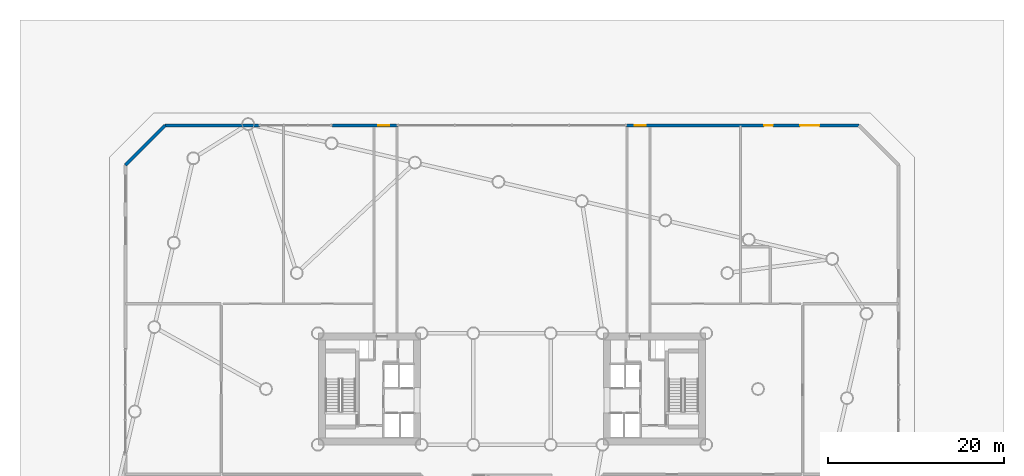
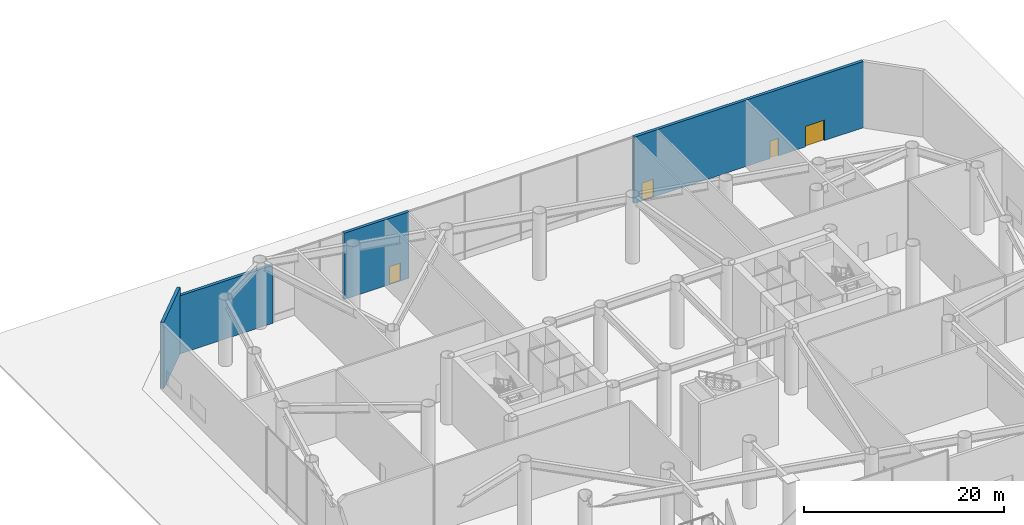
# One storey, part 24 of 28: 4 doors, 4 walls, 4 openings.
"""IFC4 building model written with IfcOpenShell, lengths in metres."""

from ifc_helpers import new_model, si_unit, direction, frame, frame_2d, origin, place, context, subcontext, project, spatial, rectangle, extrude, material, layer, layer_set, type_object, element, fill, save


model = new_model("IFC4")

# Units and contexts
model_context = context("Model", 3, precision=1e-05, world=origin(), true_north=direction((0.0, 1.0)))
body_context = subcontext(model_context, "Body", "Model", "MODEL_VIEW")
ifc_project = project(units=[si_unit("LENGTHUNIT", "METRE"), si_unit("AREAUNIT", "SQUARE_METRE"), si_unit("VOLUMEUNIT", "CUBIC_METRE"), si_unit("PLANEANGLEUNIT", "RADIAN"), si_unit("MASSUNIT", "GRAM", prefix="KILO")], contexts=[model_context])

# Site, building, storey
site_placement = place(None, origin())
site = spatial("IfcSite", under=ifc_project, at=site_placement, CompositionType="ELEMENT")
building_placement = place(site_placement, origin())
building = spatial("IfcBuilding", under=site, at=building_placement, Name="Tavrogorsk Clinical Tower", CompositionType="ELEMENT")
storey_placement = place(building_placement, origin())
storey = spatial("IfcBuildingStorey", under=building, at=storey_placement, Name="L00", CompositionType="ELEMENT", Elevation=0.0)

# Wall, openings, doors
ifc_material_1 = material(Name="Precast concrete B45 with limestone cladding", Category="masonry")
ifc_layer = layer(ifc_material_1, 0.340087890625)
ifc_layer_set = layer_set([ifc_layer], Name="Precast concrete B45 with limestone cladding")
wall_type = type_object("IfcWallType", Name="PrecastLimestoneWall_340", PredefinedType="STANDARD", material=ifc_layer_set)
wall_1_placement = place(storey_placement, frame((39.5, 30.0, 0.0), z_axis=(0.0, 0.0, 1.0), x_axis=(-1.0, 0.0, 0.0)))
wall_1 = element("IfcWall", 1, at=wall_1_placement, inside=storey, type_object=wall_type, Name="L00 Limestone Lobby Wall 5-1", PredefinedType="STANDARD", context=body_context, shape_type="SweptSolid", body=[
    extrude(rectangle(XDim=26.5, YDim=0.340087890625, at=frame_2d((13.25, 0.0))), origin(), (0.0, 0.0, 1.0), 8.10009765625),
])
opening_1_placement = place(wall_1_placement, frame((9.800048828125, 0.0, 0.0)))
opening_1 = element("IfcOpeningElement", 2, at=opening_1_placement, cuts=wall_1, Name="Opening ED-05", PredefinedType="OPENING", context=body_context, shape_type="SweptSolid", body=[
    extrude(rectangle(XDim=1.0, YDim=2.14990234375, at=frame_2d((0.5, 1.074951171875))), frame((0.0, 0.179931640625, 0.0), z_axis=(0.0, -1.0, 0.0), x_axis=(1.0, 0.0, 0.0)), (0.0, 0.0, 1.0), 0.360107421875),
])
opening_2_placement = place(wall_1_placement, frame((4.5, 0.0, 0.0)))
opening_2 = element("IfcOpeningElement", 3, at=opening_2_placement, cuts=wall_1, Name="Opening ED-02", PredefinedType="OPENING", context=body_context, shape_type="SweptSolid", body=[
    extrude(rectangle(XDim=2.199951171875, YDim=2.5, at=frame_2d((1.10009765625, 1.25))), frame((0.0, 0.179931640625, 0.0), z_axis=(0.0, -1.0, 0.0), x_axis=(1.0, 0.0, 0.0)), (0.0, 0.0, 1.0), 0.360107421875),
])
opening_3_placement = place(wall_1_placement, frame((24.25, 0.0, 0.0)))
opening_3 = element("IfcOpeningElement", 4, at=opening_3_placement, cuts=wall_1, Name="Opening ED-04", PredefinedType="OPENING", context=body_context, shape_type="SweptSolid", body=[
    extrude(rectangle(XDim=1.300048828125, YDim=2.199951171875, at=frame_2d((0.64990234375, 1.10009765625))), frame((0.0, 0.179931640625, 0.0), z_axis=(0.0, -1.0, 0.0), x_axis=(1.0, 0.0, 0.0)), (0.0, 0.0, 1.0), 0.360107421875),
])
ifc_material_2 = material(Name="Thermally broken aluminium and laminated safety glass", Category="aluminium")
door_type_1 = type_object("IfcDoorType", Name="AmbulanceBayDoor_ED02_2200", OperationType="DOUBLE_SWING_LEFT", PredefinedType="DOOR", material=ifc_material_2)
door_1_placement = place(opening_2_placement, origin())
door_1 = element("IfcDoor", 5, at=door_1_placement, inside=storey, type_object=door_type_1, Name="L00 North Trauma Entrance Door", OperationType="DOUBLE_SWING_LEFT", OverallHeight=2.5, OverallWidth=2.199951171875, PredefinedType="DOOR", context=body_context, shape_type="SweptSolid", body=[
    extrude(rectangle(XDim=2.199951171875, YDim=2.5, at=frame_2d((1.10009765625, 1.25))), frame((0.0, 0.02490234375, 0.0), z_axis=(0.0, -1.0, 0.0), x_axis=(1.0, 0.0, 0.0)), (0.0, 0.0, 1.0), 0.050048828125),
])
fill(opening_2, door_1)
ifc_material_3 = material(Name="Thermally broken aluminium and laminated safety glass", Category="aluminium")
door_type_2 = type_object("IfcDoorType", Name="GroundExitDoor_ED04_1300", OperationType="NOTDEFINED", PredefinedType="DOOR", material=ifc_material_3)
door_2_placement = place(opening_3_placement, origin())
door_2 = element("IfcDoor", 6, at=door_2_placement, inside=storey, type_object=door_type_2, Name="L00 North-East Stair Protected Final Exit Door", OperationType="SINGLE_SWING_RIGHT", OverallHeight=2.199951171875, OverallWidth=1.300048828125, PredefinedType="DOOR", context=body_context, shape_type="SweptSolid", body=[
    extrude(rectangle(XDim=1.300048828125, YDim=2.199951171875, at=frame_2d((0.64990234375, 1.10009765625))), frame((0.0, 0.02490234375, 0.0), z_axis=(0.0, -1.0, 0.0), x_axis=(1.0, 0.0, 0.0)), (0.0, 0.0, 1.0), 0.050048828125),
])
fill(opening_3, door_2)
ifc_material_4 = material(Name="Thermally broken aluminium and laminated safety glass", Category="aluminium")
door_type_3 = type_object("IfcDoorType", Name="RoofMaintDoor_ED05_1000", OperationType="NOTDEFINED", PredefinedType="DOOR", material=ifc_material_4)
door_3_placement = place(opening_1_placement, origin())
door_3 = element("IfcDoor", 7, at=door_3_placement, inside=storey, type_object=door_type_3, Name="L00 North Trauma Service Door", OperationType="SINGLE_SWING_LEFT", OverallHeight=2.14990234375, OverallWidth=1.0, PredefinedType="DOOR", context=body_context, shape_type="SweptSolid", body=[
    extrude(rectangle(XDim=1.0, YDim=2.14990234375, at=frame_2d((0.5, 1.074951171875))), frame((0.0, 0.02490234375, 0.0), z_axis=(0.0, -1.0, 0.0), x_axis=(1.0, 0.0, 0.0)), (0.0, 0.0, 1.0), 0.050048828125),
])
fill(opening_1, door_3)

# Wall, opening, door
wall_2_placement = place(storey_placement, frame((-13.0, 30.0, 0.0), z_axis=(0.0, 0.0, 1.0), x_axis=(-1.0, 0.0, 0.0)))
wall_2 = element("IfcWall", 8, at=wall_2_placement, inside=storey, type_object=wall_type, Name="L00 Limestone Lobby Wall 5-2", PredefinedType="STANDARD", context=body_context, shape_type="SweptSolid", body=[
    extrude(rectangle(XDim=7.5, YDim=0.340087890625, at=frame_2d((3.75, 0.0))), origin(), (0.0, 0.0, 1.0), 8.10009765625),
])
opening_4_placement = place(wall_2_placement, frame((0.949951171875, 0.0, 0.0)))
opening_4 = element("IfcOpeningElement", 9, at=opening_4_placement, cuts=wall_2, Name="Opening ED-04", PredefinedType="OPENING", context=body_context, shape_type="SweptSolid", body=[
    extrude(rectangle(XDim=1.300048828125, YDim=2.199951171875, at=frame_2d((0.64990234375, 1.10009765625))), frame((0.0, 0.179931640625, 0.0), z_axis=(0.0, -1.0, 0.0), x_axis=(1.0, 0.0, 0.0)), (0.0, 0.0, 1.0), 0.360107421875),
])
door_4_placement = place(opening_4_placement, origin())
door_4 = element("IfcDoor", 10, at=door_4_placement, inside=storey, type_object=door_type_2, Name="L00 North-West Stair Protected Final Exit Door", OperationType="SINGLE_SWING_LEFT", OverallHeight=2.199951171875, OverallWidth=1.300048828125, PredefinedType="DOOR", context=body_context, shape_type="SweptSolid", body=[
    extrude(rectangle(XDim=1.300048828125, YDim=2.199951171875, at=frame_2d((0.64990234375, 1.10009765625))), frame((0.0, 0.02490234375, 0.0), z_axis=(0.0, -1.0, 0.0), x_axis=(1.0, 0.0, 0.0)), (0.0, 0.0, 1.0), 0.050048828125),
])
fill(opening_4, door_4)

# Walls
wall_3_placement = place(storey_placement, frame((-28.699951171875, 30.0, 0.0), z_axis=(0.0, 0.0, 1.0), x_axis=(-1.0, 0.0, 0.0)))
element("IfcWall", 11, at=wall_3_placement, inside=storey, type_object=wall_type, Name="L00 Limestone Lobby Wall 5-3", PredefinedType="STANDARD", context=body_context, shape_type="SweptSolid", body=[
    extrude(rectangle(XDim=10.800048828125, YDim=0.340087890625, at=frame_2d((5.39990234375, 0.0))), origin(), (0.0, 0.0, 1.0), 7.094970703125),
])
wall_4_placement = place(storey_placement, frame((-39.5, 30.0, 0.0), z_axis=(0.0, 0.0, 1.0), x_axis=(-0.707106781187, -0.707106781187, 0.0)))
element("IfcWall", 12, at=wall_4_placement, inside=storey, type_object=wall_type, Name="L00 Limestone Lobby Wall 6-1", PredefinedType="STANDARD", context=body_context, shape_type="SweptSolid", body=[
    extrude(rectangle(XDim=6.364013671875, YDim=0.340087890625, at=frame_2d((3.18212890625, 0.0))), origin(), (0.0, 0.0, 1.0), 8.10009765625),
])

save(model, "model.ifc")
